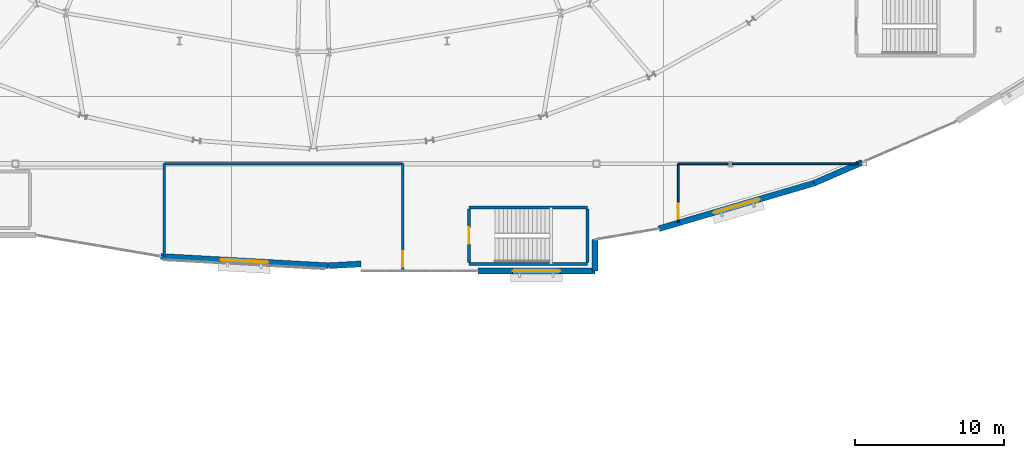
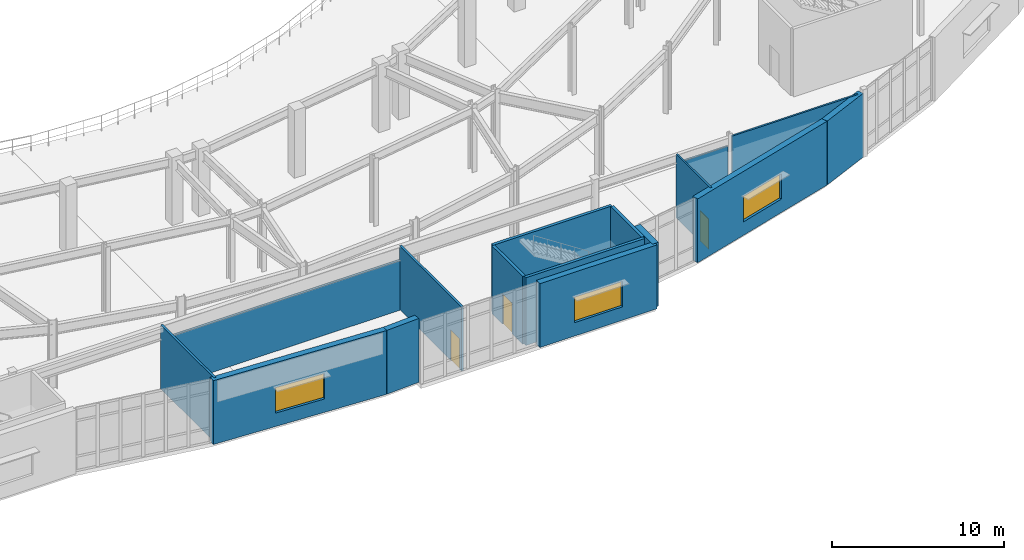
# One storey, part 61 of 86: 16 walls, 3 doors, 3 windows, 6 openings.
"""IFC4 building model written with IfcOpenShell, lengths in metres."""

from ifc_helpers import new_model, si_unit, direction, frame, frame_2d, origin, place, context, subcontext, project, spatial, rectangle, extrude, material, layer, layer_set, type_object, element, fill, save


model = new_model("IFC4")

# Units and contexts
model_context = context("Model", 3, precision=1e-05, world=origin(), true_north=direction((0.0, 1.0)))
body_context = subcontext(model_context, "Body", "Model", "MODEL_VIEW")
ifc_project = project(units=[si_unit("LENGTHUNIT", "METRE"), si_unit("AREAUNIT", "SQUARE_METRE"), si_unit("VOLUMEUNIT", "CUBIC_METRE"), si_unit("PLANEANGLEUNIT", "RADIAN"), si_unit("MASSUNIT", "GRAM", prefix="KILO")], contexts=[model_context])

# Site, building, storey
site_placement = place(None, origin())
site = spatial("IfcSite", under=ifc_project, at=site_placement, CompositionType="ELEMENT")
building_placement = place(site_placement, origin())
building = spatial("IfcBuilding", under=site, at=building_placement, Name="Glasvene Arena", CompositionType="ELEMENT")
storey_placement = place(building_placement, frame((0.0, 0.0, 5.39990234375)))
storey = spatial("IfcBuildingStorey", under=building, at=storey_placement, Name="L01", CompositionType="ELEMENT", Elevation=5.39990234375)

# Wall
ifc_material_1 = material(Name="Coursed pale Irish limestone", Category="masonry")
ifc_layer_1 = layer(ifc_material_1, 0.39990234375)
ifc_layer_set_1 = layer_set([ifc_layer_1], Name="Coursed pale Irish limestone")
wall_type_1 = type_object("IfcWallType", Name="WL-EXT-LIM-400", PredefinedType="STANDARD", material=ifc_layer_set_1)
wall_1_placement = place(storey_placement, frame((128.847900390625, 27.092529296875, 0.0), z_axis=(0.0, 0.0, 1.0), x_axis=(-0.917450139186, -0.397850778694, 0.0)))
element("IfcWall", 1, at=wall_1_placement, inside=storey, type_object=wall_type_1, Name="External facade wall EW-L01-0093", PredefinedType="STANDARD", context=body_context, shape_type="SweptSolid", body=[
    extrude(rectangle(XDim=3.519287109375, YDim=0.39990234375, at=frame_2d((1.759765625, 0.0))), origin(), (0.0, 0.0, 1.0), 4.52001953125),
])

# Wall, opening, window
wall_2_placement = place(storey_placement, frame((125.619140625, 25.6923828125, 0.0), z_axis=(0.0, 0.0, 1.0), x_axis=(-0.959617971449, -0.281306503432, 0.0)))
wall_2 = element("IfcWall", 2, at=wall_2_placement, inside=storey, type_object=wall_type_1, Name="External facade wall EW-L01-0094", PredefinedType="STANDARD", context=body_context, shape_type="SweptSolid", body=[
    extrude(rectangle(XDim=10.8544921875, YDim=0.39990234375, at=frame_2d((5.42724609375, 0.0))), origin(), (0.0, 0.0, 1.0), 4.52001953125),
])
opening_1_placement = place(wall_2_placement, frame((3.826904296875, 0.0, 0.949951171875)))
opening_1 = element("IfcOpeningElement", 3, at=opening_1_placement, cuts=wall_2, Name="Opening W-03", PredefinedType="OPENING", context=body_context, shape_type="SweptSolid", body=[
    extrude(rectangle(XDim=3.199951171875, YDim=1.800048828125, at=frame_2d((1.60009765625, 0.89990234375))), frame((0.0, 0.2099609375, 0.0), z_axis=(0.0, -1.0, 0.0), x_axis=(1.0, 0.0, 0.0)), (0.0, 0.0, 1.0), 0.419921875),
])
ifc_material_2 = material(Name="Low-emissivity laminated double glazing", Category="glass")
window_type = type_object("IfcWindowType", Name="WN-CONC-320x180", PartitioningType="TRIPLE_PANEL_VERTICAL", PredefinedType="WINDOW", material=ifc_material_2)
window_1_placement = place(opening_1_placement, origin())
window_1 = element("IfcWindow", 4, at=window_1_placement, inside=storey, type_object=window_type, Name="Facade window WN-CONC-320x180 L01-0044", OverallHeight=1.800048828125, OverallWidth=3.199951171875, PartitioningType="SINGLE_PANEL", PredefinedType="WINDOW", context=body_context, shape_type="SweptSolid", body=[
    extrude(rectangle(XDim=3.199951171875, YDim=1.800048828125, at=frame_2d((1.60009765625, 0.89990234375))), frame((0.0, 0.030029296875, 0.0), z_axis=(0.0, -1.0, 0.0), x_axis=(1.0, 0.0, 0.0)), (0.0, 0.0, 1.0), 0.06005859375),
])
fill(opening_1, window_1)

# Wall
wall_3_placement = place(storey_placement, frame((110.89990234375, 21.90771484375, 0.0), z_axis=(0.0, 0.0, 1.0), x_axis=(0.0, -1.0, 0.0)))
element("IfcWall", 5, at=wall_3_placement, inside=storey, type_object=wall_type_1, Name="External facade wall EW-L01-0095", PredefinedType="STANDARD", context=body_context, shape_type="SweptSolid", body=[
    extrude(rectangle(XDim=2.107666015625, YDim=0.39990234375, at=frame_2d((1.0537109375, 0.0))), origin(), (0.0, 0.0, 1.0), 4.52001953125),
])

# Wall, opening, window
wall_4_placement = place(storey_placement, frame((110.89990234375, 19.800048828125, 0.0), z_axis=(0.0, 0.0, 1.0), x_axis=(-1.0, 0.0, 0.0)))
wall_4 = element("IfcWall", 6, at=wall_4_placement, inside=storey, type_object=wall_type_1, Name="External facade wall EW-L01-0096", PredefinedType="STANDARD", context=body_context, shape_type="SweptSolid", body=[
    extrude(rectangle(XDim=7.849853515625, YDim=0.39990234375, at=frame_2d((3.9248046875, 0.0))), origin(), (0.0, 0.0, 1.0), 4.52001953125),
])
opening_2_placement = place(wall_4_placement, frame((2.324951171875, 0.0, 0.949951171875)))
opening_2 = element("IfcOpeningElement", 7, at=opening_2_placement, cuts=wall_4, Name="Opening W-03", PredefinedType="OPENING", context=body_context, shape_type="SweptSolid", body=[
    extrude(rectangle(XDim=3.199951171875, YDim=1.800048828125, at=frame_2d((1.60009765625, 0.89990234375))), frame((0.0, 0.2099609375, 0.0), z_axis=(0.0, -1.0, 0.0), x_axis=(1.0, 0.0, 0.0)), (0.0, 0.0, 1.0), 0.419921875),
])
window_2_placement = place(opening_2_placement, origin())
window_2 = element("IfcWindow", 8, at=window_2_placement, inside=storey, type_object=window_type, Name="Facade window WN-CONC-320x180 L01-0045", OverallHeight=1.800048828125, OverallWidth=3.199951171875, PartitioningType="SINGLE_PANEL", PredefinedType="WINDOW", context=body_context, shape_type="SweptSolid", body=[
    extrude(rectangle(XDim=3.199951171875, YDim=1.800048828125, at=frame_2d((1.60009765625, 0.89990234375))), frame((0.0, 0.030029296875, 0.0), z_axis=(0.0, -1.0, 0.0), x_axis=(1.0, 0.0, 0.0)), (0.0, 0.0, 1.0), 0.06005859375),
])
fill(opening_2, window_2)

# Wall
wall_5_placement = place(storey_placement, frame((95.199951171875, 20.2724609375, 0.0), z_axis=(0.0, 0.0, 1.0), x_axis=(-0.99845181806, -0.055623439426, 0.0)))
element("IfcWall", 9, at=wall_5_placement, inside=storey, type_object=wall_type_1, Name="External facade wall EW-L01-0097", PredefinedType="STANDARD", context=body_context, shape_type="SweptSolid", body=[
    extrude(rectangle(XDim=2.203369140625, YDim=0.39990234375, at=frame_2d((1.1015625, 0.0))), origin(), (0.0, 0.0, 1.0), 4.52001953125),
])

# Wall, opening, window
wall_6_placement = place(storey_placement, frame((93.0, 20.14990234375, 0.0), z_axis=(0.0, 0.0, 1.0), x_axis=(-0.998452736481, 0.055606951135, 0.0)))
wall_6 = element("IfcWall", 10, at=wall_6_placement, inside=storey, type_object=wall_type_1, Name="External facade wall EW-L01-0098", PredefinedType="STANDARD", context=body_context, shape_type="SweptSolid", body=[
    extrude(rectangle(XDim=11.257080078125, YDim=0.39990234375, at=frame_2d((5.62841796875, 0.0))), origin(), (0.0, 0.0, 1.0), 4.52001953125),
])
opening_3_placement = place(wall_6_placement, frame((4.029052734375, 0.0, 0.949951171875)))
opening_3 = element("IfcOpeningElement", 11, at=opening_3_placement, cuts=wall_6, Name="Opening W-03", PredefinedType="OPENING", context=body_context, shape_type="SweptSolid", body=[
    extrude(rectangle(XDim=3.199951171875, YDim=1.800048828125, at=frame_2d((1.60009765625, 0.89990234375))), frame((0.0, 0.2099609375, 0.0), z_axis=(0.0, -1.0, 0.0), x_axis=(1.0, 0.0, 0.0)), (0.0, 0.0, 1.0), 0.419921875),
])
window_3_placement = place(opening_3_placement, origin())
window_3 = element("IfcWindow", 12, at=window_3_placement, inside=storey, type_object=window_type, Name="Facade window WN-CONC-320x180 L01-0046", OverallHeight=1.800048828125, OverallWidth=3.199951171875, PartitioningType="SINGLE_PANEL", PredefinedType="WINDOW", context=body_context, shape_type="SweptSolid", body=[
    extrude(rectangle(XDim=3.199951171875, YDim=1.800048828125, at=frame_2d((1.60009765625, 0.89990234375))), frame((0.0, 0.030029296875, 0.0), z_axis=(0.0, -1.0, 0.0), x_axis=(1.0, 0.0, 0.0)), (0.0, 0.0, 1.0), 0.06005859375),
])
fill(opening_3, window_3)

# Wall, opening, door
ifc_material_3 = material(Name="Lightweight gypsum metal-stud partition")
ifc_layer_2 = layer(ifc_material_3, 0.1201171875)
ifc_layer_set_2 = layer_set([ifc_layer_2], Name="Lightweight gypsum metal-stud partition")
wall_type_2 = type_object("IfcWallType", Name="WL-PART-120", PredefinedType="PARTITIONING", material=ifc_layer_set_2)
wall_7_placement = place(storey_placement, frame((116.5, 23.05908203125, 0.0), z_axis=(0.0, 0.0, 1.0), x_axis=(0.0, 1.0, 0.0)))
wall_7 = element("IfcWall", 13, at=wall_7_placement, inside=storey, type_object=wall_type_2, Name="Interior partition wall IW-L01-0157 (Concourse Merchandise Kiosk)", PredefinedType="PARTITIONING", context=body_context, shape_type="SweptSolid", body=[
    extrude(rectangle(XDim=3.94091796875, YDim=0.1201171875, at=frame_2d((1.970458984375, 0.0))), origin(), (0.0, 0.0, 1.0), 4.52001953125),
])
opening_4_placement = place(wall_7_placement, frame((0.25, 0.0, 0.0)))
opening_4 = element("IfcOpeningElement", 14, at=opening_4_placement, cuts=wall_7, Name="Opening D-06", PredefinedType="OPENING", context=body_context, shape_type="SweptSolid", body=[
    extrude(rectangle(XDim=1.0, YDim=2.14990234375, at=frame_2d((0.5, 1.074951171875))), frame((0.0, 0.070068359375, 0.0), z_axis=(0.0, -1.0, 0.0), x_axis=(1.0, 0.0, 0.0)), (0.0, 0.0, 1.0), 0.14013671875),
])
ifc_material_4 = material(Name="European oak fire-resisting timber", Category="wood")
door_type_1 = type_object("IfcDoorType", Name="DR-FD30-1000", OperationType="NOTDEFINED", PredefinedType="DOOR", material=ifc_material_4)
door_1_placement = place(opening_4_placement, origin())
door_1 = element("IfcDoor", 15, at=door_1_placement, inside=storey, type_object=door_type_1, Name="Interior door DR-FD30-1000 (Concourse Merchandise Kiosk)", OperationType="SINGLE_SWING_RIGHT", OverallHeight=2.14990234375, OverallWidth=1.0, PredefinedType="DOOR", context=body_context, shape_type="SweptSolid", body=[
    extrude(rectangle(XDim=1.0, YDim=2.14990234375, at=frame_2d((0.5, 1.074951171875))), frame((0.0, 0.02490234375, 0.0), z_axis=(0.0, -1.0, 0.0), x_axis=(1.0, 0.0, 0.0)), (0.0, 0.0, 1.0), 0.050048828125),
])
fill(opening_4, door_1)

# Walls
wall_8_placement = place(storey_placement, frame((116.5, 27.0, 0.0), z_axis=(0.0, 0.0, 1.0), x_axis=(1.0, 0.0, 0.0)))
element("IfcWall", 16, at=wall_8_placement, inside=storey, type_object=wall_type_2, Name="Interior partition wall IW-L01-0158 (Concourse Merchandise Kiosk)", PredefinedType="PARTITIONING", context=body_context, shape_type="SweptSolid", body=[
    extrude(rectangle(XDim=3.367919921875, YDim=0.1201171875, at=frame_2d((1.68408203125, 0.0))), origin(), (0.0, 0.0, 1.0), 3.907470703125),
])
wall_9_placement = place(storey_placement, frame((120.132080078125, 27.0, 0.0), z_axis=(0.0, 0.0, 1.0), x_axis=(1.0, 0.0, 0.0)))
element("IfcWall", 17, at=wall_9_placement, inside=storey, type_object=wall_type_2, Name="Interior partition wall IW-L01-0159 (Concourse Merchandise Kiosk)", PredefinedType="PARTITIONING", context=body_context, shape_type="SweptSolid", body=[
    extrude(rectangle(XDim=8.46240234375, YDim=0.1201171875, at=frame_2d((4.231201171875, 0.0))), origin(), (0.0, 0.0, 1.0), 4.52001953125),
])
ifc_material_5 = material(Name="Insulated acoustic metal-stud partition")
ifc_layer_3 = layer(ifc_material_5, 0.14990234375)
ifc_layer_set_3 = layer_set([ifc_layer_3], Name="Insulated acoustic metal-stud partition")
wall_type_3 = type_object("IfcWallType", Name="WL-PART-150", PredefinedType="PARTITIONING", material=ifc_layer_set_3)
wall_10_placement = place(storey_placement, frame((82.0, 20.802490234375, 0.0), z_axis=(0.0, 0.0, 1.0), x_axis=(0.0, 1.0, 0.0)))
element("IfcWall", 18, at=wall_10_placement, inside=storey, type_object=wall_type_3, Name="Interior partition wall IW-L01-0148 (Concourse Concession Kitchen South)", PredefinedType="PARTITIONING", context=body_context, shape_type="SweptSolid", body=[
    extrude(rectangle(XDim=6.197509765625, YDim=0.14990234375, at=frame_2d((3.0986328125, 0.0))), origin(), (0.0, 0.0, 1.0), 4.52001953125),
])
wall_11_placement = place(storey_placement, frame((82.0, 27.0, 0.0), z_axis=(0.0, 0.0, 1.0), x_axis=(1.0, 0.0, 0.0)))
element("IfcWall", 19, at=wall_11_placement, inside=storey, type_object=wall_type_3, Name="Interior partition wall IW-L01-0149 (Concourse Concession Kitchen South)", PredefinedType="PARTITIONING", context=body_context, shape_type="SweptSolid", body=[
    extrude(rectangle(XDim=16.0, YDim=0.14990234375, at=frame_2d((8.0, 0.0))), origin(), (0.0, 0.0, 1.0), 3.51513671875),
])

# Wall, opening, door
wall_12_placement = place(storey_placement, frame((98.0, 27.0, 0.0), z_axis=(0.0, 0.0, 1.0), x_axis=(0.0, -1.0, 0.0)))
wall_12 = element("IfcWall", 20, at=wall_12_placement, inside=storey, type_object=wall_type_3, Name="Interior partition wall IW-L01-0150 (Concourse Concession Kitchen South)", PredefinedType="PARTITIONING", context=body_context, shape_type="SweptSolid", body=[
    extrude(rectangle(XDim=7.179931640625, YDim=0.14990234375, at=frame_2d((3.58984375, 0.0))), origin(), (0.0, 0.0, 1.0), 4.52001953125),
])
opening_5_placement = place(wall_12_placement, frame((5.8798828125, 0.0, 0.0)))
opening_5 = element("IfcOpeningElement", 21, at=opening_5_placement, cuts=wall_12, Name="Opening D-05", PredefinedType="OPENING", context=body_context, shape_type="SweptSolid", body=[
    extrude(rectangle(XDim=1.050048828125, YDim=2.14990234375, at=frame_2d((0.52490234375, 1.074951171875))), frame((0.0, 0.0849609375, 0.0), z_axis=(0.0, -1.0, 0.0), x_axis=(1.0, 0.0, 0.0)), (0.0, 0.0, 1.0), 0.169921875),
])
ifc_material_6 = material(Name="Painted fire-resisting steel", Category="steel")
door_type_2 = type_object("IfcDoorType", Name="DR-FD60-1050", OperationType="NOTDEFINED", PredefinedType="DOOR", material=ifc_material_6)
door_2_placement = place(opening_5_placement, origin())
door_2 = element("IfcDoor", 22, at=door_2_placement, inside=storey, type_object=door_type_2, Name="Interior door DR-FD60-1050 (Concourse Concession Kitchen South)", OperationType="SINGLE_SWING_RIGHT", OverallHeight=2.14990234375, OverallWidth=1.050048828125, PredefinedType="DOOR", context=body_context, shape_type="SweptSolid", body=[
    extrude(rectangle(XDim=1.050048828125, YDim=2.14990234375, at=frame_2d((0.52490234375, 1.074951171875))), frame((0.0, 0.02490234375, 0.0), z_axis=(0.0, -1.0, 0.0), x_axis=(1.0, 0.0, 0.0)), (0.0, 0.0, 1.0), 0.050048828125),
])
fill(opening_5, door_2)

# Wall
ifc_material_7 = material(Name="Concrete C40/50", Category="concrete")
ifc_layer_4 = layer(ifc_material_7, 0.199951171875)
ifc_layer_set_4 = layer_set([ifc_layer_4], Name="Concrete C40/50")
wall_type_4 = type_object("IfcWallType", Name="WL-SHAFT-200", PredefinedType="SHEAR", material=ifc_layer_set_4)
wall_13_placement = place(storey_placement, frame((102.449951171875, 20.280029296875, 0.0), z_axis=(0.0, 0.0, 1.0), x_axis=(1.0, 0.0, 0.0)))
element("IfcWall", 23, at=wall_13_placement, inside=storey, type_object=wall_type_4, Name="Escape stair shaft wall ST-09 L01 S", PredefinedType="SHEAR", context=body_context, shape_type="SweptSolid", body=[
    extrude(rectangle(XDim=7.949951171875, YDim=0.199951171875, at=frame_2d((3.97509765625, 0.0))), origin(), (0.0, 0.0, 1.0), 4.800048828125),
])

# Wall, opening, door
wall_14_placement = place(storey_placement, frame((102.449951171875, 20.382080078125, 0.0), z_axis=(0.0, 0.0, 1.0), x_axis=(0.0, 1.0, 0.0)))
wall_14 = element("IfcWall", 24, at=wall_14_placement, inside=storey, type_object=wall_type_4, Name="Escape stair shaft wall ST-09 L01 W", PredefinedType="SHEAR", context=body_context, shape_type="SweptSolid", body=[
    extrude(rectangle(XDim=3.5859375, YDim=0.199951171875, at=frame_2d((1.79296875, 0.0))), origin(), (0.0, 0.0, 1.0), 4.800048828125),
])
opening_6_placement = place(wall_14_placement, frame((1.242919921875, 0.0, 0.0)))
opening_6 = element("IfcOpeningElement", 25, at=opening_6_placement, cuts=wall_14, Name="Opening D-04", PredefinedType="OPENING", context=body_context, shape_type="SweptSolid", body=[
    extrude(rectangle(XDim=1.10009765625, YDim=2.14990234375, at=frame_2d((0.550048828125, 1.074951171875))), frame((0.0, 0.10986328125, 0.0), z_axis=(0.0, -1.0, 0.0), x_axis=(1.0, 0.0, 0.0)), (0.0, 0.0, 1.0), 0.219970703125),
])
door_type_3 = type_object("IfcDoorType", Name="DR-FD60-1100", OperationType="NOTDEFINED", PredefinedType="DOOR", material=ifc_material_6)
door_3_placement = place(opening_6_placement, frame((1.10009765625, 0.0, 0.0), z_axis=(0.0, 0.0, 1.0), x_axis=(-1.0, 0.0, 0.0)))
door_3 = element("IfcDoor", 26, at=door_3_placement, inside=storey, type_object=door_type_3, Name="Protected escape stair door ST-09 L01", OperationType="SINGLE_SWING_RIGHT", OverallHeight=2.14990234375, OverallWidth=1.10009765625, PredefinedType="DOOR", context=body_context, shape_type="SweptSolid", body=[
    extrude(rectangle(XDim=1.10009765625, YDim=2.14990234375, at=frame_2d((0.550048828125, 1.074951171875))), frame((0.0, 0.02490234375, 0.0), z_axis=(0.0, -1.0, 0.0), x_axis=(1.0, 0.0, 0.0)), (0.0, 0.0, 1.0), 0.050048828125),
])
fill(opening_6, door_3)

# Walls
wall_15_placement = place(storey_placement, frame((110.39990234375, 20.382080078125, 0.0), z_axis=(0.0, 0.0, 1.0), x_axis=(0.0, 1.0, 0.0)))
element("IfcWall", 27, at=wall_15_placement, inside=storey, type_object=wall_type_4, Name="Escape stair shaft wall ST-09 L01 E", PredefinedType="SHEAR", context=body_context, shape_type="SweptSolid", body=[
    extrude(rectangle(XDim=3.5859375, YDim=0.199951171875, at=frame_2d((1.79296875, 0.0))), origin(), (0.0, 0.0, 1.0), 4.800048828125),
])
wall_16_placement = place(storey_placement, frame((102.449951171875, 24.070068359375, 0.0), z_axis=(0.0, 0.0, 1.0), x_axis=(1.0, 0.0, 0.0)))
element("IfcWall", 28, at=wall_16_placement, inside=storey, type_object=wall_type_4, Name="Escape stair shaft wall ST-09 L01 N", PredefinedType="SHEAR", context=body_context, shape_type="SweptSolid", body=[
    extrude(rectangle(XDim=7.949951171875, YDim=0.199951171875, at=frame_2d((3.97509765625, 0.0))), origin(), (0.0, 0.0, 1.0), 4.800048828125),
])

save(model, "model.ifc")
